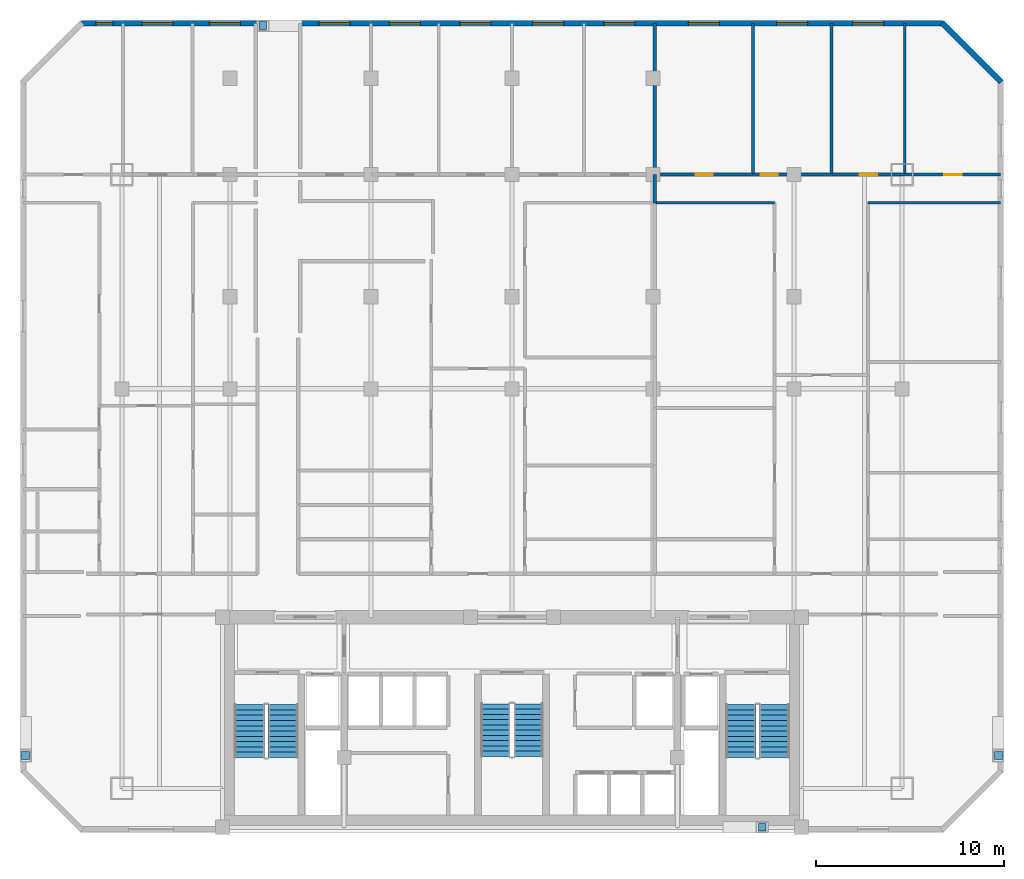
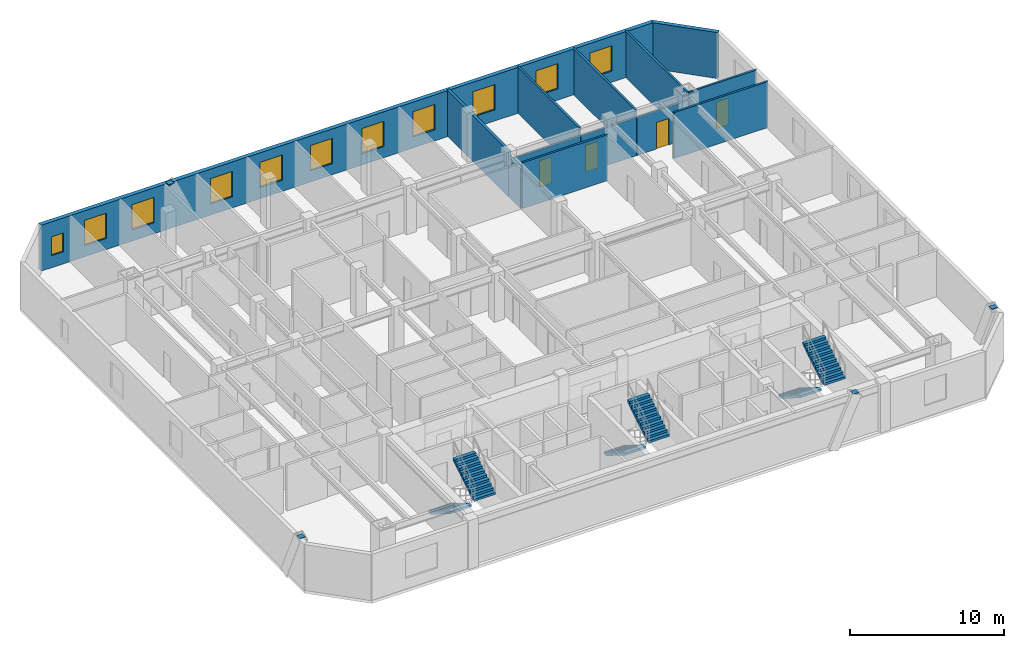
# One storey, part 7 of 8: 13 walls, 11 windows, 6 stair flights, 4 discrete accessories, 4 doors, 15 openings, 3 elements without a shape of their own.
"""IFC4 building model written with IfcOpenShell, lengths in metres."""

from ifc_helpers import new_model, si_unit, direction, frame, frame_2d, origin, origin_2d, place, context, subcontext, project, spatial, polyline, rectangle, outline, extrude, material, layer, layer_set, type_object, element, fill, aggregate, save


model = new_model("IFC4")

# Units and contexts
model_context = context("Model", 3, precision=1e-05, world=origin(), true_north=direction((0.0, 1.0)))
body_context = subcontext(model_context, "Body", "Model", "MODEL_VIEW")
ifc_project = project(units=[si_unit("LENGTHUNIT", "METRE"), si_unit("AREAUNIT", "SQUARE_METRE"), si_unit("VOLUMEUNIT", "CUBIC_METRE"), si_unit("PLANEANGLEUNIT", "RADIAN"), si_unit("MASSUNIT", "GRAM", prefix="KILO")], contexts=[model_context])

# Site, building, storey
site_placement = place(None, origin())
site = spatial("IfcSite", under=ifc_project, at=site_placement, CompositionType="ELEMENT")
building_placement = place(site_placement, origin())
building = spatial("IfcBuilding", under=site, at=building_placement, Name="Ventersveld Concourse Tower", CompositionType="ELEMENT")
storey_placement = place(building_placement, frame((0.0, 0.0, 149.050048828125)))
storey = spatial("IfcBuildingStorey", under=building, at=storey_placement, Name="L36", CompositionType="ELEMENT", Elevation=149.050048828125)

# Walls
ifc_material_1 = material(Name="Fire-rated autoclaved aerated masonry blockwork", Category="masonry")
ifc_layer_1 = layer(ifc_material_1, 0.199951171875)
ifc_layer_set_1 = layer_set([ifc_layer_1], Name="Fire-rated autoclaved aerated masonry blockwork")
wall_type_1 = type_object("IfcWallType", Name="WL-DEMISE-200", PredefinedType="PARTITIONING", material=ifc_layer_set_1)
wall_1_placement = place(storey_placement, frame((36.343994140625, 33.4951171875, 0.0), z_axis=(0.0, 0.0, 1.0), x_axis=(0.0, 1.0, 0.0)))
element("IfcWall", 1, at=wall_1_placement, inside=storey, type_object=wall_type_1, Name="L36 Interior Partition SP-L36-36N1-LIV-SP-L36-36N2-LIV", PredefinedType="PARTITIONING", context=body_context, shape_type="SweptSolid", body=[
    extrude(rectangle(XDim=1.509765625, YDim=0.199951171875, at=frame_2d((0.7548828125, 0.0))), origin(), (0.0, 0.0, 1.0), 3.176513671875),
])
wall_2_placement = place(storey_placement, frame((36.343994140625, 35.034912109375, 0.0), z_axis=(0.0, 0.0, 1.0), x_axis=(0.0, 1.0, 0.0)))
element("IfcWall", 2, at=wall_2_placement, inside=storey, type_object=wall_type_1, Name="L36 Interior Partition SP-L36-36N1-BR5-SP-L36-36N2-BR1", PredefinedType="PARTITIONING", context=body_context, shape_type="SweptSolid", body=[
    extrude(rectangle(XDim=7.99267578125, YDim=0.199951171875, at=frame_2d((3.996337890625, 0.0))), origin(), (0.0, 0.0, 1.0), 3.6298828125),
])
ifc_material_2 = material(Name="Autoclaved aerated masonry blockwork", Category="masonry")
ifc_layer_2 = layer(ifc_material_2, 0.14990234375)
ifc_layer_set_2 = layer_set([ifc_layer_2], Name="Autoclaved aerated masonry blockwork")
wall_type_2 = type_object("IfcWallType", Name="WL-INT-150", PredefinedType="PARTITIONING", material=ifc_layer_set_2)
wall_3_placement = place(storey_placement, frame((36.379150390625, 33.5, 0.0), z_axis=(0.0, 0.0, 1.0), x_axis=(1.0, 0.0, 0.0)))
element("IfcWall", 3, at=wall_3_placement, inside=storey, type_object=wall_type_2, Name="L36 Interior Partition SP-L36-36N2-LIV-SP-L36-36N2-DENL2", PredefinedType="PARTITIONING", context=body_context, shape_type="SweptSolid", body=[
    extrude(rectangle(XDim=6.3427734375, YDim=0.14990234375, at=frame_2d((3.17138671875, 0.0))), origin(), (0.0, 0.0, 1.0), 3.6298828125),
])
wall_4_placement = place(storey_placement, frame((47.69189453125, 33.5, 0.0), z_axis=(0.0, 0.0, 1.0), x_axis=(1.0, 0.0, 0.0)))
element("IfcWall", 4, at=wall_4_placement, inside=storey, type_object=wall_type_2, Name="L36 Interior Partition SP-L36-36N2-LIV-SP-L36-36N2-DENS2", PredefinedType="PARTITIONING", context=body_context, shape_type="SweptSolid", body=[
    extrude(rectangle(XDim=7.03564453125, YDim=0.14990234375, at=frame_2d((3.517822265625, 0.0))), origin(), (0.0, 0.0, 1.0), 3.6298828125),
])

# Wall, opening, door
wall_5_placement = place(storey_placement, frame((36.379150390625, 35.0, 0.0), z_axis=(0.0, 0.0, 1.0), x_axis=(1.0, 0.0, 0.0)))
wall_5 = element("IfcWall", 5, at=wall_5_placement, inside=storey, type_object=wall_type_2, Name="L36 Interior Partition SP-L36-36N2-LIV-SP-L36-36N2-BR1", PredefinedType="PARTITIONING", context=body_context, shape_type="SweptSolid", body=[
    extrude(rectangle(XDim=5.198486328125, YDim=0.14990234375, at=frame_2d((2.59912109375, 0.0))), origin(), (0.0, 0.0, 1.0), 3.0126953125),
])
opening_1_placement = place(wall_5_placement, frame((2.139404296875, 0.0, 0.0)))
opening_1 = element("IfcOpeningElement", 6, at=opening_1_placement, cuts=wall_5, Name="Opening ID1", PredefinedType="OPENING", context=body_context, shape_type="SweptSolid", body=[
    extrude(rectangle(XDim=0.919921875, YDim=2.10009765625, at=frame_2d((0.4599609375, 1.050048828125))), frame((0.0, 0.0849609375, 0.0), z_axis=(0.0, -1.0, 0.0), x_axis=(1.0, 0.0, 0.0)), (0.0, 0.0, 1.0), 0.169921875),
])
ifc_material_3 = material(Name="Solid-core hardwood veneer timber", Category="wood")
door_type = type_object("IfcDoorType", Name="DR-ROOM-092", OperationType="NOTDEFINED", PredefinedType="DOOR", material=ifc_material_3)
door_1_placement = place(opening_1_placement, origin())
door_1 = element("IfcDoor", 7, at=door_1_placement, inside=storey, type_object=door_type, Name="L36 Interior Door SP-L36-36N2-LIV to SP-L36-36N2-BR1 (D-L36-1797)", OperationType="SINGLE_SWING_LEFT", OverallHeight=2.10009765625, OverallWidth=0.919921875, PredefinedType="DOOR", context=body_context, shape_type="SweptSolid", body=[
    extrude(rectangle(XDim=0.919921875, YDim=2.10009765625, at=frame_2d((0.4599609375, 1.050048828125))), frame((0.0, 0.02490234375, 0.0), z_axis=(0.0, -1.0, 0.0), x_axis=(1.0, 0.0, 0.0)), (0.0, 0.0, 1.0), 0.050048828125),
])
fill(opening_1, door_1)

wall_6_placement = place(storey_placement, frame((41.607666015625, 35.0, 0.0), z_axis=(0.0, 0.0, 1.0), x_axis=(1.0, 0.0, 0.0)))
wall_6 = element("IfcWall", 8, at=wall_6_placement, inside=storey, type_object=wall_type_2, Name="L36 Interior Partition SP-L36-36N2-LIV-SP-L36-36N2-BR2", PredefinedType="PARTITIONING", context=body_context, shape_type="SweptSolid", body=[
    extrude(rectangle(XDim=4.1357421875, YDim=0.14990234375, at=frame_2d((2.06787109375, 0.0))), origin(), (0.0, 0.0, 1.0), 3.0126953125),
])
opening_2_placement = place(wall_6_placement, frame((0.3671875, 0.0, 0.0)))
opening_2 = element("IfcOpeningElement", 9, at=opening_2_placement, cuts=wall_6, Name="Opening ID1", PredefinedType="OPENING", context=body_context, shape_type="SweptSolid", body=[
    extrude(rectangle(XDim=0.919921875, YDim=2.10009765625, at=frame_2d((0.4599609375, 1.050048828125))), frame((0.0, 0.0849609375, 0.0), z_axis=(0.0, -1.0, 0.0), x_axis=(1.0, 0.0, 0.0)), (0.0, 0.0, 1.0), 0.169921875),
])
door_2_placement = place(opening_2_placement, origin())
door_2 = element("IfcDoor", 10, at=door_2_placement, inside=storey, type_object=door_type, Name="L36 Interior Door SP-L36-36N2-LIV to SP-L36-36N2-BR2 (D-L36-1798)", OperationType="SINGLE_SWING_RIGHT", OverallHeight=2.10009765625, OverallWidth=0.919921875, PredefinedType="DOOR", context=body_context, shape_type="SweptSolid", body=[
    extrude(rectangle(XDim=0.919921875, YDim=2.10009765625, at=frame_2d((0.4599609375, 1.050048828125))), frame((0.0, 0.02490234375, 0.0), z_axis=(0.0, -1.0, 0.0), x_axis=(1.0, 0.0, 0.0)), (0.0, 0.0, 1.0), 0.050048828125),
])
fill(opening_2, door_2)

wall_7_placement = place(storey_placement, frame((45.7734375, 35.0, 0.0), z_axis=(0.0, 0.0, 1.0), x_axis=(1.0, 0.0, 0.0)))
wall_7 = element("IfcWall", 11, at=wall_7_placement, inside=storey, type_object=wall_type_2, Name="L36 Interior Partition SP-L36-36N2-LIV-SP-L36-36N2-BR3", PredefinedType="PARTITIONING", context=body_context, shape_type="SweptSolid", body=[
    extrude(rectangle(XDim=3.8701171875, YDim=0.14990234375, at=frame_2d((1.93505859375, 0.0))), origin(), (0.0, 0.0, 1.0), 3.0126953125),
])
opening_3_placement = place(wall_7_placement, frame((1.47509765625, 0.0, 0.0)))
opening_3 = element("IfcOpeningElement", 12, at=opening_3_placement, cuts=wall_7, Name="Opening ID1", PredefinedType="OPENING", context=body_context, shape_type="SweptSolid", body=[
    extrude(rectangle(XDim=0.919921875, YDim=2.10009765625, at=frame_2d((0.4599609375, 1.050048828125))), frame((0.0, 0.0849609375, 0.0), z_axis=(0.0, -1.0, 0.0), x_axis=(1.0, 0.0, 0.0)), (0.0, 0.0, 1.0), 0.169921875),
])
door_3_placement = place(opening_3_placement, origin())
door_3 = element("IfcDoor", 13, at=door_3_placement, inside=storey, type_object=door_type, Name="L36 Interior Door SP-L36-36N2-LIV to SP-L36-36N2-BR3 (D-L36-1799)", OperationType="SINGLE_SWING_LEFT", OverallHeight=2.10009765625, OverallWidth=0.919921875, PredefinedType="DOOR", context=body_context, shape_type="SweptSolid", body=[
    extrude(rectangle(XDim=0.919921875, YDim=2.10009765625, at=frame_2d((0.4599609375, 1.050048828125))), frame((0.0, 0.02490234375, 0.0), z_axis=(0.0, -1.0, 0.0), x_axis=(1.0, 0.0, 0.0)), (0.0, 0.0, 1.0), 0.050048828125),
])
fill(opening_3, door_3)

wall_8_placement = place(storey_placement, frame((49.673583984375, 35.0, 0.0), z_axis=(0.0, 0.0, 1.0), x_axis=(1.0, 0.0, 0.0)))
wall_8 = element("IfcWall", 14, at=wall_8_placement, inside=storey, type_object=wall_type_2, Name="L36 Interior Partition SP-L36-36N2-LIV-SP-L36-36N2-BR4", PredefinedType="PARTITIONING", context=body_context, shape_type="SweptSolid", body=[
    extrude(rectangle(XDim=5.053955078125, YDim=0.14990234375, at=frame_2d((2.52685546875, 0.0))), origin(), (0.0, 0.0, 1.0), 3.6298828125),
])
opening_4_placement = place(wall_8_placement, frame((2.06689453125, 0.0, 0.0)))
opening_4 = element("IfcOpeningElement", 15, at=opening_4_placement, cuts=wall_8, Name="Opening ID1", PredefinedType="OPENING", context=body_context, shape_type="SweptSolid", body=[
    extrude(rectangle(XDim=0.919921875, YDim=2.10009765625, at=frame_2d((0.4599609375, 1.050048828125))), frame((0.0, 0.0849609375, 0.0), z_axis=(0.0, -1.0, 0.0), x_axis=(1.0, 0.0, 0.0)), (0.0, 0.0, 1.0), 0.169921875),
])
door_4_placement = place(opening_4_placement, origin())
door_4 = element("IfcDoor", 16, at=door_4_placement, inside=storey, type_object=door_type, Name="L36 Interior Door SP-L36-36N2-LIV to SP-L36-36N2-BR4 (D-L36-1800)", OperationType="SINGLE_SWING_RIGHT", OverallHeight=2.10009765625, OverallWidth=0.919921875, PredefinedType="DOOR", context=body_context, shape_type="SweptSolid", body=[
    extrude(rectangle(XDim=0.919921875, YDim=2.10009765625, at=frame_2d((0.4599609375, 1.050048828125))), frame((0.0, 0.02490234375, 0.0), z_axis=(0.0, -1.0, 0.0), x_axis=(1.0, 0.0, 0.0)), (0.0, 0.0, 1.0), 0.050048828125),
])
fill(opening_4, door_4)

# Walls
for number, where, z_axis, x_axis, name in (
    (17, (41.57275390625, 34.9951171875, 0.0), (0.0, 0.0, 1.0), (0.0, 1.0, 0.0), "L36 Interior Partition SP-L36-36N2-BR1-SP-L36-36N2-BR2"),
    (18, (45.738525390625, 34.9951171875, 0.0), (0.0, 0.0, 1.0), (0.0, 1.0, 0.0), "L36 Interior Partition SP-L36-36N2-BR2-SP-L36-36N2-BR3"),
    (19, (49.638427734375, 34.9951171875, 0.0), (0.0, 0.0, 1.0), (0.0, 1.0, 0.0), "L36 Interior Partition SP-L36-36N2-BR3-SP-L36-36N2-BR4"),
):
    element("IfcWall", number, at=place(storey_placement, frame(where, z_axis=z_axis, x_axis=x_axis)), inside=storey, type_object=wall_type_2, Name=name, PredefinedType="PARTITIONING", context=body_context, shape_type="SweptSolid", body=[
        extrude(rectangle(XDim=8.032470703125, YDim=0.14990234375, at=frame_2d((4.01611328125, 0.0))), origin(), (0.0, 0.0, 1.0), 3.6298828125),
    ])
ifc_material_4 = material(Name="Precast concrete C45/55", Category="concrete")
ifc_layer_3 = layer(ifc_material_4, 0.300048828125)
ifc_layer_set_3 = layer_set([ifc_layer_3], Name="Precast concrete C45/55")
wall_type_3 = type_object("IfcWallType", Name="WL-PREC-300", PredefinedType="SOLIDWALL", material=ifc_layer_set_3)
wall_9_placement = place(storey_placement, frame((54.765625, 39.922119140625, 0.0), z_axis=(0.0, 0.0, 1.0), x_axis=(-0.707079321262, 0.707134240044, 0.0)))
element("IfcWall", 20, at=wall_9_placement, inside=storey, type_object=wall_type_3, Name="L36 Highveld Precast Facade Wall E04", PredefinedType="SOLIDWALL", context=body_context, shape_type="SweptSolid", body=[
    extrude(rectangle(XDim=4.445556640625, YDim=0.300048828125, at=frame_2d((2.22265625, 0.0))), origin(), (0.0, 0.0, 1.0), 3.6298828125),
])

# Wall, openings, windows
wall_10_placement = place(storey_placement, frame((51.659912109375, 43.050048828125, 0.0), z_axis=(0.0, 0.0, 1.0), x_axis=(-1.0, 0.0, 0.0)))
wall_10 = element("IfcWall", 21, at=wall_10_placement, inside=storey, type_object=wall_type_3, Name="L36 Highveld Precast Facade Wall E05", PredefinedType="SOLIDWALL", context=body_context, shape_type="SweptSolid", body=[
    extrude(rectangle(XDim=45.81982421875, YDim=0.300048828125, at=frame_2d((22.909912109375, 0.0))), origin(), (0.0, 0.0, 1.0), 3.6298828125),
])
opening_5_placement = place(wall_10_placement, frame((44.139892578125, 0.0, 0.949951171875)))
opening_5 = element("IfcOpeningElement", 22, at=opening_5_placement, cuts=wall_10, Name="Opening W4", PredefinedType="OPENING", context=body_context, shape_type="SweptSolid", body=[
    extrude(rectangle(XDim=0.89990234375, YDim=1.5, at=frame_2d((0.449951171875, 0.75))), frame((0.0, 0.16015625, 0.0), z_axis=(0.0, -1.0, 0.0), x_axis=(1.0, 0.0, 0.0)), (0.0, 0.0, 1.0), 0.320068359375),
])
opening_6_placement = place(wall_10_placement, frame((40.929443359375, 0.0, 0.8798828125)))
opening_6 = element("IfcOpeningElement", 23, at=opening_6_placement, cuts=wall_10, Name="Opening W6", PredefinedType="OPENING", context=body_context, shape_type="SweptSolid", body=[
    extrude(rectangle(XDim=1.64990234375, YDim=2.0, at=frame_2d((0.824951171875, 1.0))), frame((0.0, 0.16015625, 0.0), z_axis=(0.0, -1.0, 0.0), x_axis=(1.0, 0.0, 0.0)), (0.0, 0.0, 1.0), 0.320068359375),
])
opening_7_placement = place(wall_10_placement, frame((37.35400390625, 0.0, 0.8798828125)))
opening_7 = element("IfcOpeningElement", 24, at=opening_7_placement, cuts=wall_10, Name="Opening W6", PredefinedType="OPENING", context=body_context, shape_type="SweptSolid", body=[
    extrude(rectangle(XDim=1.64990234375, YDim=2.0, at=frame_2d((0.824951171875, 1.0))), frame((0.0, 0.16015625, 0.0), z_axis=(0.0, -1.0, 0.0), x_axis=(1.0, 0.0, 0.0)), (0.0, 0.0, 1.0), 0.320068359375),
])
opening_8_placement = place(wall_10_placement, frame((31.514892578125, 0.0, 0.8798828125)))
opening_8 = element("IfcOpeningElement", 25, at=opening_8_placement, cuts=wall_10, Name="Opening W6", PredefinedType="OPENING", context=body_context, shape_type="SweptSolid", body=[
    extrude(rectangle(XDim=1.64990234375, YDim=2.0, at=frame_2d((0.824951171875, 1.0))), frame((0.0, 0.16015625, 0.0), z_axis=(0.0, -1.0, 0.0), x_axis=(1.0, 0.0, 0.0)), (0.0, 0.0, 1.0), 0.320068359375),
])
opening_9_placement = place(wall_10_placement, frame((27.781005859375, 0.0, 0.8798828125)))
opening_9 = element("IfcOpeningElement", 26, at=opening_9_placement, cuts=wall_10, Name="Opening W6", PredefinedType="OPENING", context=body_context, shape_type="SweptSolid", body=[
    extrude(rectangle(XDim=1.64990234375, YDim=2.0, at=frame_2d((0.824951171875, 1.0))), frame((0.0, 0.16015625, 0.0), z_axis=(0.0, -1.0, 0.0), x_axis=(1.0, 0.0, 0.0)), (0.0, 0.0, 1.0), 0.320068359375),
])
opening_10_placement = place(wall_10_placement, frame((24.031005859375, 0.0, 0.8798828125)))
opening_10 = element("IfcOpeningElement", 27, at=opening_10_placement, cuts=wall_10, Name="Opening W6", PredefinedType="OPENING", context=body_context, shape_type="SweptSolid", body=[
    extrude(rectangle(XDim=1.64990234375, YDim=2.0, at=frame_2d((0.824951171875, 1.0))), frame((0.0, 0.16015625, 0.0), z_axis=(0.0, -1.0, 0.0), x_axis=(1.0, 0.0, 0.0)), (0.0, 0.0, 1.0), 0.320068359375),
])
opening_11_placement = place(wall_10_placement, frame((20.166748046875, 0.0, 0.8798828125)))
opening_11 = element("IfcOpeningElement", 28, at=opening_11_placement, cuts=wall_10, Name="Opening W6", PredefinedType="OPENING", context=body_context, shape_type="SweptSolid", body=[
    extrude(rectangle(XDim=1.64990234375, YDim=2.0, at=frame_2d((0.824951171875, 1.0))), frame((0.0, 0.16015625, 0.0), z_axis=(0.0, -1.0, 0.0), x_axis=(1.0, 0.0, 0.0)), (0.0, 0.0, 1.0), 0.320068359375),
])
opening_12_placement = place(wall_10_placement, frame((16.36962890625, 0.0, 0.8798828125)))
opening_12 = element("IfcOpeningElement", 29, at=opening_12_placement, cuts=wall_10, Name="Opening W6", PredefinedType="OPENING", context=body_context, shape_type="SweptSolid", body=[
    extrude(rectangle(XDim=1.64990234375, YDim=2.0, at=frame_2d((0.824951171875, 1.0))), frame((0.0, 0.16015625, 0.0), z_axis=(0.0, -1.0, 0.0), x_axis=(1.0, 0.0, 0.0)), (0.0, 0.0, 1.0), 0.320068359375),
])
opening_13_placement = place(wall_10_placement, frame((11.876708984375, 0.0, 0.8798828125)))
opening_13 = element("IfcOpeningElement", 30, at=opening_13_placement, cuts=wall_10, Name="Opening W6", PredefinedType="OPENING", context=body_context, shape_type="SweptSolid", body=[
    extrude(rectangle(XDim=1.64990234375, YDim=2.0, at=frame_2d((0.824951171875, 1.0))), frame((0.0, 0.16015625, 0.0), z_axis=(0.0, -1.0, 0.0), x_axis=(1.0, 0.0, 0.0)), (0.0, 0.0, 1.0), 0.320068359375),
])
opening_14_placement = place(wall_10_placement, frame((7.179443359375, 0.0, 0.8798828125)))
opening_14 = element("IfcOpeningElement", 31, at=opening_14_placement, cuts=wall_10, Name="Opening W6", PredefinedType="OPENING", context=body_context, shape_type="SweptSolid", body=[
    extrude(rectangle(XDim=1.64990234375, YDim=2.0, at=frame_2d((0.824951171875, 1.0))), frame((0.0, 0.16015625, 0.0), z_axis=(0.0, -1.0, 0.0), x_axis=(1.0, 0.0, 0.0)), (0.0, 0.0, 1.0), 0.320068359375),
])
opening_15_placement = place(wall_10_placement, frame((3.146484375, 0.0, 0.8798828125)))
opening_15 = element("IfcOpeningElement", 32, at=opening_15_placement, cuts=wall_10, Name="Opening W6", PredefinedType="OPENING", context=body_context, shape_type="SweptSolid", body=[
    extrude(rectangle(XDim=1.64990234375, YDim=2.0, at=frame_2d((0.824951171875, 1.0))), frame((0.0, 0.16015625, 0.0), z_axis=(0.0, -1.0, 0.0), x_axis=(1.0, 0.0, 0.0)), (0.0, 0.0, 1.0), 0.320068359375),
])
ifc_material_5 = material(Name="Tempered acoustic Low-E IGU", Category="glass")
window_type_1 = type_object("IfcWindowType", Name="WIN-090x150", PartitioningType="SINGLE_PANEL", PredefinedType="WINDOW", material=ifc_material_5)
window_1_placement = place(opening_5_placement, origin())
window_1 = element("IfcWindow", 33, at=window_1_placement, inside=storey, type_object=window_type_1, Name="L36 Punched Low-E Window W-0466", OverallHeight=1.5, OverallWidth=0.89990234375, PartitioningType="SINGLE_PANEL", PredefinedType="WINDOW", context=body_context, shape_type="SweptSolid", body=[
    extrude(rectangle(XDim=0.89990234375, YDim=1.5, at=frame_2d((0.449951171875, 0.75))), frame((0.0, 0.030029296875, 0.0), z_axis=(0.0, -1.0, 0.0), x_axis=(1.0, 0.0, 0.0)), (0.0, 0.0, 1.0), 0.06005859375),
])
fill(opening_5, window_1)
window_type_2 = type_object("IfcWindowType", Name="WIN-165x200", PartitioningType="SINGLE_PANEL", PredefinedType="WINDOW", material=ifc_material_5)
window_2_placement = place(opening_6_placement, origin())
window_2 = element("IfcWindow", 34, at=window_2_placement, inside=storey, type_object=window_type_2, Name="L36 Punched Low-E Window W-0467", OverallHeight=2.0, OverallWidth=1.64990234375, PartitioningType="SINGLE_PANEL", PredefinedType="WINDOW", context=body_context, shape_type="SweptSolid", body=[
    extrude(rectangle(XDim=1.64990234375, YDim=2.0, at=frame_2d((0.824951171875, 1.0))), frame((0.0, 0.030029296875, 0.0), z_axis=(0.0, -1.0, 0.0), x_axis=(1.0, 0.0, 0.0)), (0.0, 0.0, 1.0), 0.06005859375),
])
fill(opening_6, window_2)
window_3_placement = place(opening_7_placement, origin())
window_3 = element("IfcWindow", 35, at=window_3_placement, inside=storey, type_object=window_type_2, Name="L36 Punched Low-E Window W-0468", OverallHeight=2.0, OverallWidth=1.64990234375, PartitioningType="SINGLE_PANEL", PredefinedType="WINDOW", context=body_context, shape_type="SweptSolid", body=[
    extrude(rectangle(XDim=1.64990234375, YDim=2.0, at=frame_2d((0.824951171875, 1.0))), frame((0.0, 0.030029296875, 0.0), z_axis=(0.0, -1.0, 0.0), x_axis=(1.0, 0.0, 0.0)), (0.0, 0.0, 1.0), 0.06005859375),
])
fill(opening_7, window_3)
window_4_placement = place(opening_8_placement, origin())
window_4 = element("IfcWindow", 36, at=window_4_placement, inside=storey, type_object=window_type_2, Name="L36 Punched Low-E Window W-0469", OverallHeight=2.0, OverallWidth=1.64990234375, PartitioningType="SINGLE_PANEL", PredefinedType="WINDOW", context=body_context, shape_type="SweptSolid", body=[
    extrude(rectangle(XDim=1.64990234375, YDim=2.0, at=frame_2d((0.824951171875, 1.0))), frame((0.0, 0.030029296875, 0.0), z_axis=(0.0, -1.0, 0.0), x_axis=(1.0, 0.0, 0.0)), (0.0, 0.0, 1.0), 0.06005859375),
])
fill(opening_8, window_4)
window_5_placement = place(opening_9_placement, origin())
window_5 = element("IfcWindow", 37, at=window_5_placement, inside=storey, type_object=window_type_2, Name="L36 Punched Low-E Window W-0470", OverallHeight=2.0, OverallWidth=1.64990234375, PartitioningType="SINGLE_PANEL", PredefinedType="WINDOW", context=body_context, shape_type="SweptSolid", body=[
    extrude(rectangle(XDim=1.64990234375, YDim=2.0, at=frame_2d((0.824951171875, 1.0))), frame((0.0, 0.030029296875, 0.0), z_axis=(0.0, -1.0, 0.0), x_axis=(1.0, 0.0, 0.0)), (0.0, 0.0, 1.0), 0.06005859375),
])
fill(opening_9, window_5)
window_6_placement = place(opening_10_placement, origin())
window_6 = element("IfcWindow", 38, at=window_6_placement, inside=storey, type_object=window_type_2, Name="L36 Punched Low-E Window W-0471", OverallHeight=2.0, OverallWidth=1.64990234375, PartitioningType="SINGLE_PANEL", PredefinedType="WINDOW", context=body_context, shape_type="SweptSolid", body=[
    extrude(rectangle(XDim=1.64990234375, YDim=2.0, at=frame_2d((0.824951171875, 1.0))), frame((0.0, 0.030029296875, 0.0), z_axis=(0.0, -1.0, 0.0), x_axis=(1.0, 0.0, 0.0)), (0.0, 0.0, 1.0), 0.06005859375),
])
fill(opening_10, window_6)
window_7_placement = place(opening_11_placement, origin())
window_7 = element("IfcWindow", 39, at=window_7_placement, inside=storey, type_object=window_type_2, Name="L36 Punched Low-E Window W-0472", OverallHeight=2.0, OverallWidth=1.64990234375, PartitioningType="SINGLE_PANEL", PredefinedType="WINDOW", context=body_context, shape_type="SweptSolid", body=[
    extrude(rectangle(XDim=1.64990234375, YDim=2.0, at=frame_2d((0.824951171875, 1.0))), frame((0.0, 0.030029296875, 0.0), z_axis=(0.0, -1.0, 0.0), x_axis=(1.0, 0.0, 0.0)), (0.0, 0.0, 1.0), 0.06005859375),
])
fill(opening_11, window_7)
window_8_placement = place(opening_12_placement, origin())
window_8 = element("IfcWindow", 40, at=window_8_placement, inside=storey, type_object=window_type_2, Name="L36 Punched Low-E Window W-0473", OverallHeight=2.0, OverallWidth=1.64990234375, PartitioningType="SINGLE_PANEL", PredefinedType="WINDOW", context=body_context, shape_type="SweptSolid", body=[
    extrude(rectangle(XDim=1.64990234375, YDim=2.0, at=frame_2d((0.824951171875, 1.0))), frame((0.0, 0.030029296875, 0.0), z_axis=(0.0, -1.0, 0.0), x_axis=(1.0, 0.0, 0.0)), (0.0, 0.0, 1.0), 0.06005859375),
])
fill(opening_12, window_8)
window_9_placement = place(opening_13_placement, origin())
window_9 = element("IfcWindow", 41, at=window_9_placement, inside=storey, type_object=window_type_2, Name="L36 Punched Low-E Window W-0479", OverallHeight=2.0, OverallWidth=1.64990234375, PartitioningType="SINGLE_PANEL", PredefinedType="WINDOW", context=body_context, shape_type="SweptSolid", body=[
    extrude(rectangle(XDim=1.64990234375, YDim=2.0, at=frame_2d((0.824951171875, 1.0))), frame((0.0, 0.030029296875, 0.0), z_axis=(0.0, -1.0, 0.0), x_axis=(1.0, 0.0, 0.0)), (0.0, 0.0, 1.0), 0.06005859375),
])
fill(opening_13, window_9)
window_10_placement = place(opening_14_placement, origin())
window_10 = element("IfcWindow", 42, at=window_10_placement, inside=storey, type_object=window_type_2, Name="L36 Punched Low-E Window W-0480", OverallHeight=2.0, OverallWidth=1.64990234375, PartitioningType="SINGLE_PANEL", PredefinedType="WINDOW", context=body_context, shape_type="SweptSolid", body=[
    extrude(rectangle(XDim=1.64990234375, YDim=2.0, at=frame_2d((0.824951171875, 1.0))), frame((0.0, 0.030029296875, 0.0), z_axis=(0.0, -1.0, 0.0), x_axis=(1.0, 0.0, 0.0)), (0.0, 0.0, 1.0), 0.06005859375),
])
fill(opening_14, window_10)
window_11_placement = place(opening_15_placement, origin())
window_11 = element("IfcWindow", 43, at=window_11_placement, inside=storey, type_object=window_type_2, Name="L36 Punched Low-E Window W-0481", OverallHeight=2.0, OverallWidth=1.64990234375, PartitioningType="SINGLE_PANEL", PredefinedType="WINDOW", context=body_context, shape_type="SweptSolid", body=[
    extrude(rectangle(XDim=1.64990234375, YDim=2.0, at=frame_2d((0.824951171875, 1.0))), frame((0.0, 0.030029296875, 0.0), z_axis=(0.0, -1.0, 0.0), x_axis=(1.0, 0.0, 0.0)), (0.0, 0.0, 1.0), 0.06005859375),
])
fill(opening_15, window_11)

# Stair, stair flights
ifc_material_6 = material(Name="Concrete C50/60", Category="concrete")
stair_type_1 = type_object("IfcStairType", Name="ST-DOG-155", PredefinedType="HALF_TURN_STAIR", material=ifc_material_6)
stair_1_placement = place(storey_placement, origin())
stair_1 = element("IfcStair", 44, at=stair_1_placement, inside=storey, type_object=stair_type_1, Name="L36 Protected Central Core Escape Stair ST-03", PredefinedType="HALF_TURN_STAIR")
stair_flight_type_1 = type_object("IfcStairFlightType", Name="STF-RC-155", PredefinedType="STRAIGHT", material=ifc_material_6)
stair_flight_1_placement = place(storey_placement, frame((27.875, 6.85009765625, 0.0), z_axis=(0.0, 0.0, 1.0), x_axis=(0.0, -1.0, 0.0)))
stair_flight_1 = element("IfcStairFlight", 45, at=stair_flight_1_placement, type_object=stair_flight_type_1, Name="ST-03 flight 1", NumberOfRisers=11, NumberOfTreads=10, PredefinedType="STRAIGHT", RiserHeight=0.175, TreadLength=0.28, context=body_context, shape_type="SweptSolid", body=[
    extrude(outline(polyline([(0.0, 0.0), (0.0, 0.175048828125), (0.280029296875, 0.175048828125), (0.280029296875, 0.35009765625), (0.56005859375, 0.35009765625), (0.56005859375, 0.52490234375), (0.840087890625, 0.52490234375), (0.840087890625, 0.699951171875), (1.1201171875, 0.699951171875), (1.1201171875, 0.875), (1.39990234375, 0.875), (1.39990234375, 1.050048828125), (1.679931640625, 1.050048828125), (1.679931640625, 1.22509765625), (1.9599609375, 1.22509765625), (1.9599609375, 1.39990234375), (2.239990234375, 1.39990234375), (2.239990234375, 1.574951171875), (2.52001953125, 1.574951171875), (2.52001953125, 1.75), (2.800048828125, 1.75), (2.800048828125, 1.925048828125), (2.800048828125, 1.5732421875), (0.28271484375, 0.0), (0.0, 0.0)])), frame((0.0, 0.77490234375, 0.0), z_axis=(0.0, -1.0, 0.0), x_axis=(1.0, 0.0, 0.0)), (0.0, 0.0, 1.0), 1.550048828125),
])
stair_flight_2_placement = place(storey_placement, frame((29.625, 4.050048828125, 1.925048828125), z_axis=(0.0, 0.0, 1.0), x_axis=(0.0, 1.0, 0.0)))
stair_flight_2 = element("IfcStairFlight", 46, at=stair_flight_2_placement, type_object=stair_flight_type_1, Name="ST-03 flight 2", NumberOfRisers=11, NumberOfTreads=10, PredefinedType="STRAIGHT", RiserHeight=0.175, TreadLength=0.28, context=body_context, shape_type="SweptSolid", body=[
    extrude(outline(polyline([(0.0, 0.0), (0.0, 0.175048828125), (0.280029296875, 0.175048828125), (0.280029296875, 0.35009765625), (0.56005859375, 0.35009765625), (0.56005859375, 0.52490234375), (0.840087890625, 0.52490234375), (0.840087890625, 0.699951171875), (1.1201171875, 0.699951171875), (1.1201171875, 0.875), (1.39990234375, 0.875), (1.39990234375, 1.050048828125), (1.679931640625, 1.050048828125), (1.679931640625, 1.22509765625), (1.9599609375, 1.22509765625), (1.9599609375, 1.39990234375), (2.239990234375, 1.39990234375), (2.239990234375, 1.574951171875), (2.52001953125, 1.574951171875), (2.52001953125, 1.75), (2.800048828125, 1.75), (2.800048828125, 1.925048828125), (2.800048828125, 1.5732421875), (0.28271484375, 0.0), (0.0, 0.0)])), frame((0.0, 0.77490234375, 0.0), z_axis=(0.0, -1.0, 0.0), x_axis=(1.0, 0.0, 0.0)), (0.0, 0.0, 1.0), 1.550048828125),
])
aggregate(stair_1, [stair_flight_1, stair_flight_2])

stair_type_2 = type_object("IfcStairType", Name="ST-DOG-160", PredefinedType="HALF_TURN_STAIR", material=ifc_material_6)
stair_2_placement = place(storey_placement, origin())
stair_2 = element("IfcStair", 47, at=stair_2_placement, inside=storey, type_object=stair_type_2, Name="L36 Protected Tower Escape Stair ST-01", PredefinedType="HALF_TURN_STAIR")
stair_flight_type_2 = type_object("IfcStairFlightType", Name="STF-RC-160", PredefinedType="STRAIGHT", material=ifc_material_6)
stair_flight_3_placement = place(storey_placement, frame((14.780029296875, 6.800048828125, 0.0), z_axis=(0.0, 0.0, 1.0), x_axis=(0.0, -1.0, 0.0)))
stair_flight_3 = element("IfcStairFlight", 48, at=stair_flight_3_placement, type_object=stair_flight_type_2, Name="ST-01 flight 1", NumberOfRisers=11, NumberOfTreads=10, PredefinedType="STRAIGHT", RiserHeight=0.175, TreadLength=0.28, context=body_context, shape_type="SweptSolid", body=[
    extrude(outline(polyline([(0.0, 0.0), (0.0, 0.175048828125), (0.280029296875, 0.175048828125), (0.280029296875, 0.35009765625), (0.56005859375, 0.35009765625), (0.56005859375, 0.52490234375), (0.840087890625, 0.52490234375), (0.840087890625, 0.699951171875), (1.1201171875, 0.699951171875), (1.1201171875, 0.875), (1.39990234375, 0.875), (1.39990234375, 1.050048828125), (1.679931640625, 1.050048828125), (1.679931640625, 1.22509765625), (1.9599609375, 1.22509765625), (1.9599609375, 1.39990234375), (2.239990234375, 1.39990234375), (2.239990234375, 1.574951171875), (2.52001953125, 1.574951171875), (2.52001953125, 1.75), (2.800048828125, 1.75), (2.800048828125, 1.925048828125), (2.800048828125, 1.5732421875), (0.28271484375, 0.0), (0.0, 0.0)])), frame((0.0, 0.800048828125, 0.0), z_axis=(0.0, -1.0, 0.0), x_axis=(1.0, 0.0, 0.0)), (0.0, 0.0, 1.0), 1.60009765625),
])
stair_flight_4_placement = place(storey_placement, frame((16.580078125, 4.0, 1.925048828125), z_axis=(0.0, 0.0, 1.0), x_axis=(0.0, 1.0, 0.0)))
stair_flight_4 = element("IfcStairFlight", 49, at=stair_flight_4_placement, type_object=stair_flight_type_2, Name="ST-01 flight 2", NumberOfRisers=11, NumberOfTreads=10, PredefinedType="STRAIGHT", RiserHeight=0.175, TreadLength=0.28, context=body_context, shape_type="SweptSolid", body=[
    extrude(outline(polyline([(0.0, 0.0), (0.0, 0.175048828125), (0.280029296875, 0.175048828125), (0.280029296875, 0.35009765625), (0.56005859375, 0.35009765625), (0.56005859375, 0.52490234375), (0.840087890625, 0.52490234375), (0.840087890625, 0.699951171875), (1.1201171875, 0.699951171875), (1.1201171875, 0.875), (1.39990234375, 0.875), (1.39990234375, 1.050048828125), (1.679931640625, 1.050048828125), (1.679931640625, 1.22509765625), (1.9599609375, 1.22509765625), (1.9599609375, 1.39990234375), (2.239990234375, 1.39990234375), (2.239990234375, 1.574951171875), (2.52001953125, 1.574951171875), (2.52001953125, 1.75), (2.800048828125, 1.75), (2.800048828125, 1.925048828125), (2.800048828125, 1.5732421875), (0.28271484375, 0.0), (0.0, 0.0)])), frame((0.0, 0.800048828125, 0.0), z_axis=(0.0, -1.0, 0.0), x_axis=(1.0, 0.0, 0.0)), (0.0, 0.0, 1.0), 1.60009765625),
])
aggregate(stair_2, [stair_flight_3, stair_flight_4])

stair_3_placement = place(storey_placement, origin())
stair_3 = element("IfcStair", 50, at=stair_3_placement, inside=storey, type_object=stair_type_2, Name="L36 Protected Tower Escape Stair ST-02", PredefinedType="HALF_TURN_STAIR")
stair_flight_5_placement = place(storey_placement, frame((40.919921875, 6.800048828125, 0.0), z_axis=(0.0, 0.0, 1.0), x_axis=(0.0, -1.0, 0.0)))
stair_flight_5 = element("IfcStairFlight", 51, at=stair_flight_5_placement, type_object=stair_flight_type_2, Name="ST-02 flight 1", NumberOfRisers=11, NumberOfTreads=10, PredefinedType="STRAIGHT", RiserHeight=0.175, TreadLength=0.28, context=body_context, shape_type="SweptSolid", body=[
    extrude(outline(polyline([(0.0, 0.0), (0.0, 0.175048828125), (0.280029296875, 0.175048828125), (0.280029296875, 0.35009765625), (0.56005859375, 0.35009765625), (0.56005859375, 0.52490234375), (0.840087890625, 0.52490234375), (0.840087890625, 0.699951171875), (1.1201171875, 0.699951171875), (1.1201171875, 0.875), (1.39990234375, 0.875), (1.39990234375, 1.050048828125), (1.679931640625, 1.050048828125), (1.679931640625, 1.22509765625), (1.9599609375, 1.22509765625), (1.9599609375, 1.39990234375), (2.239990234375, 1.39990234375), (2.239990234375, 1.574951171875), (2.52001953125, 1.574951171875), (2.52001953125, 1.75), (2.800048828125, 1.75), (2.800048828125, 1.925048828125), (2.800048828125, 1.5732421875), (0.28271484375, 0.0), (0.0, 0.0)])), frame((0.0, 0.800048828125, 0.0), z_axis=(0.0, -1.0, 0.0), x_axis=(1.0, 0.0, 0.0)), (0.0, 0.0, 1.0), 1.60009765625),
])
stair_flight_6_placement = place(storey_placement, frame((42.719970703125, 4.0, 1.925048828125), z_axis=(0.0, 0.0, 1.0), x_axis=(0.0, 1.0, 0.0)))
stair_flight_6 = element("IfcStairFlight", 52, at=stair_flight_6_placement, type_object=stair_flight_type_2, Name="ST-02 flight 2", NumberOfRisers=11, NumberOfTreads=10, PredefinedType="STRAIGHT", RiserHeight=0.175, TreadLength=0.28, context=body_context, shape_type="SweptSolid", body=[
    extrude(outline(polyline([(0.0, 0.0), (0.0, 0.175048828125), (0.280029296875, 0.175048828125), (0.280029296875, 0.35009765625), (0.56005859375, 0.35009765625), (0.56005859375, 0.52490234375), (0.840087890625, 0.52490234375), (0.840087890625, 0.699951171875), (1.1201171875, 0.699951171875), (1.1201171875, 0.875), (1.39990234375, 0.875), (1.39990234375, 1.050048828125), (1.679931640625, 1.050048828125), (1.679931640625, 1.22509765625), (1.9599609375, 1.22509765625), (1.9599609375, 1.39990234375), (2.239990234375, 1.39990234375), (2.239990234375, 1.574951171875), (2.52001953125, 1.574951171875), (2.52001953125, 1.75), (2.800048828125, 1.75), (2.800048828125, 1.925048828125), (2.800048828125, 1.5732421875), (0.28271484375, 0.0), (0.0, 0.0)])), frame((0.0, 0.800048828125, 0.0), z_axis=(0.0, -1.0, 0.0), x_axis=(1.0, 0.0, 0.0)), (0.0, 0.0, 1.0), 1.60009765625),
])
aggregate(stair_3, [stair_flight_5, stair_flight_6])

# Discrete accessories
ifc_material_7 = material(Name="Structural steel S355J2", Category="steel")
discrete_accessory_type = type_object("IfcDiscreteAccessoryType", Name="CONN-BRACE-ECP1", PredefinedType="BRACKET", material=ifc_material_7)
for number, where, z_axis, x_axis, name in (
    (53, (15.489501953125, 42.919921875, 3.60986328125), (0.0, 0.0, 1.0), (1.0, 0.0, 0.0), "L36 Steel Brace End Connection Plate ECP1-0318"),
    (54, (42.060546875, 0.280029296875, 3.60986328125), (0.0, 0.0, 1.0), (1.0, 0.0, 0.0), "L36 Steel Brace End Connection Plate ECP1-0322"),
    (55, (2.8798828125, 4.089599609375, 3.60986328125), (0.0, 0.0, 1.0), (1.0, 0.0, 0.0), "L36 Steel Brace End Connection Plate ECP1-0326"),
    (56, (54.6201171875, 4.089599609375, 3.60986328125), (0.0, 0.0, 1.0), (1.0, 0.0, 0.0), "L36 Steel Brace End Connection Plate ECP1-0330"),
):
    element("IfcDiscreteAccessory", number, at=place(storey_placement, frame(where, z_axis=z_axis, x_axis=x_axis)), inside=storey, type_object=discrete_accessory_type, Name=name, PredefinedType="BRACKET", context=body_context, shape_type="SweptSolid", body=[
        extrude(rectangle(XDim=0.419921875, YDim=0.419921875, at=origin_2d()), origin(), (0.0, 0.0, 1.0), 0.0400390625),
    ])

save(model, "model.ifc")
